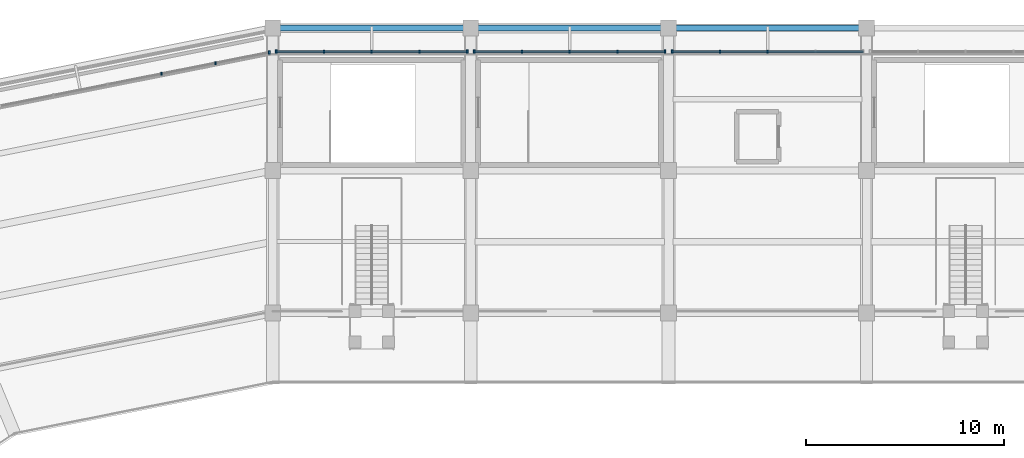
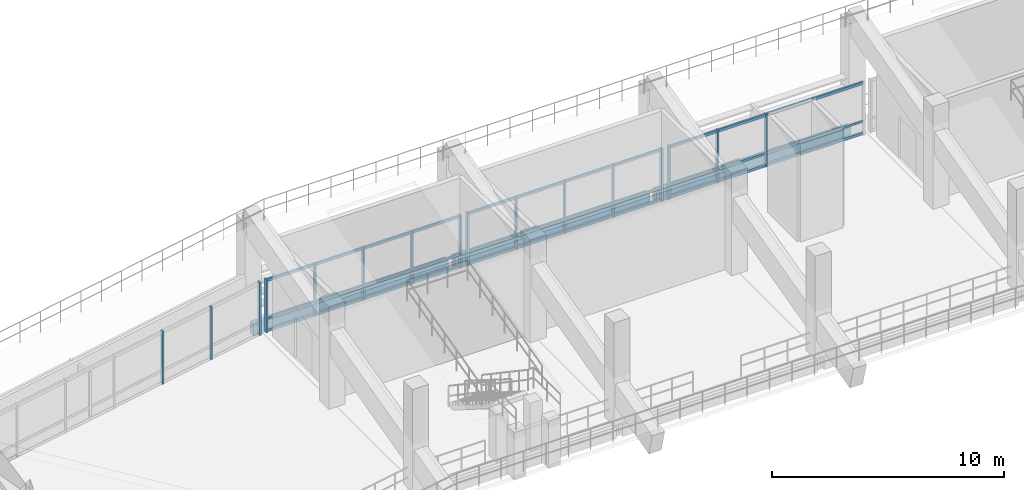
# One storey, part 43 of 96: 25 members, 3 beams, 4 elements without a shape of their own.
"""IFC4 building model written with IfcOpenShell, lengths in metres."""

import ifcopenshell
import ifcopenshell.guid

model = None  # the IFC model being written
_history = None  # IfcOwnerHistory: only IFC2X3 demands one
_inside = {}  # id of a spatial element -> (the spatial element, [elements in it])
_under = {}  # id of a project, library or spatial element -> (it, [spatial elements below it])
_declared = {}  # id of a project -> (the project, [libraries it declares])
_typed = {}  # id of a type object -> (the type object, [elements of that type])
_made_of = {}  # id of a material, layer set ... -> (it, [elements and type objects made of it])


def new_model(schema):
    """Start an empty IFC model of exactly this schema.

    Asked for "IFC4X3", IfcOpenShell would pick the latest addendum, in which some entities
    have other attributes; the version numbers below select the first issue.
    IFC2X3 requires an IfcOwnerHistory on every rooted entity: one is made here for all.
    """
    global model, _history
    if schema == "IFC4X3":
        model = ifcopenshell.file(schema_version=(4, 3, 0, 0))
    else:
        model = ifcopenshell.file(schema=schema)
    _inside.clear()
    _under.clear()
    _declared.clear()
    _typed.clear()
    _made_of.clear()
    _history = None
    if model.schema == "IFC2X3":
        org = make("IfcOrganization", Name="unknown")
        user = make(
            "IfcPersonAndOrganization",
            ThePerson=make("IfcPerson", FamilyName="unknown"),
            TheOrganization=org,
        )
        app = make(
            "IfcApplication",
            ApplicationDeveloper=org,
            Version="unknown",
            ApplicationFullName="unknown",
            ApplicationIdentifier="unknown",
        )
        _history = make(
            "IfcOwnerHistory",
            OwningUser=user,
            OwningApplication=app,
            ChangeAction="ADDED",
            CreationDate=0,
        )
    return model


def make(cls, **values):
    """One entity of the class cls with the attributes given. An attribute that is None is left unset."""
    return model.create_entity(
        cls, **{name: value for name, value in values.items() if value is not None}
    )


def rooted(cls, **values):
    """An entity with a GlobalId (a new one), such as an element, a storey or a relation."""
    return make(cls, GlobalId=ifcopenshell.guid.new(), OwnerHistory=_history, **values)


def si_unit(unit_type, name, prefix=None):
    """IfcSIUnit, for example si_unit("LENGTHUNIT", "METRE", prefix="MILLI")."""
    return make("IfcSIUnit", UnitType=unit_type, Prefix=prefix, Name=name)


def assignment(units):
    """IfcUnitAssignment: the units of a project."""
    return None if units is None else make("IfcUnitAssignment", Units=units)


def point(xyz):
    """IfcCartesianPoint."""
    return None if xyz is None else make("IfcCartesianPoint", Coordinates=xyz)


def direction(xyz):
    """IfcDirection."""
    return None if xyz is None else make("IfcDirection", DirectionRatios=xyz)


def frame(location, z_axis=None, x_axis=None):
    """IfcAxis2Placement3D, a coordinate frame: its origin and axes. An axis left out is left unset."""
    return make(
        "IfcAxis2Placement3D",
        Location=point(location),
        Axis=direction(z_axis),
        RefDirection=direction(x_axis),
    )


def frame_2d(location, x_axis=None):
    """IfcAxis2Placement2D, a coordinate frame in the plane: its origin and x axis."""
    return make(
        "IfcAxis2Placement2D", Location=point(location), RefDirection=direction(x_axis)
    )


def origin():
    """The frame at (0, 0, 0) with its axes left unset."""
    return frame((0.0, 0.0, 0.0))


def origin_2d():
    """The frame at (0, 0) in the plane with its x axis left unset."""
    return frame_2d((0.0, 0.0))


def place(relative_to, where):
    """IfcLocalPlacement: puts the frame where relative to a parent placement (None: the world)."""
    return make(
        "IfcLocalPlacement", PlacementRelTo=relative_to, RelativePlacement=where
    )


def context(
    kind, dimensions, precision=None, world=None, true_north=None, identifier=None
):
    """IfcGeometricRepresentationContext, for example the 3D "Model" context."""
    return make(
        "IfcGeometricRepresentationContext",
        ContextIdentifier=identifier,
        ContextType=kind,
        CoordinateSpaceDimension=dimensions,
        Precision=precision,
        WorldCoordinateSystem=world,
        TrueNorth=true_north,
    )


def subcontext(parent, identifier, kind, view, scale=None):
    """IfcGeometricRepresentationSubContext, for example "Body" below "Model"."""
    return make(
        "IfcGeometricRepresentationSubContext",
        ContextIdentifier=identifier,
        ContextType=kind,
        ParentContext=parent,
        TargetScale=scale,
        TargetView=view,
    )


def project(units=None, contexts=None):
    """IfcProject with its units and contexts."""
    return rooted(
        "IfcProject",
        Name="project",
        RepresentationContexts=contexts,
        UnitsInContext=assignment(units),
    )


def spatial(cls, under=None, at=None, **own):
    """A site, building, storey or space (cls), placed at a placement, below another one or the project."""
    s = rooted(cls, ObjectPlacement=at, **own)
    if under is not None:
        _under.setdefault(under.id(), (under, []))[1].append(s)
    return s


def profile(cls, at=None, kind="AREA", **sizes):
    """A parametric profile (cls). Its sizes go by their IFC names, for example OverallWidth=200.0."""
    return make(cls, ProfileType=kind, Position=at, **sizes)


def rectangle(**sizes):
    """IfcRectangleProfileDef."""
    return profile("IfcRectangleProfileDef", **sizes)


def extrude(swept, where, along, depth):
    """IfcExtrudedAreaSolid: the profile swept, set in the frame where, extruded along a direction by depth."""
    return make(
        "IfcExtrudedAreaSolid",
        SweptArea=swept,
        Position=where,
        ExtrudedDirection=direction(along),
        Depth=depth,
    )


def shape(context_of_items, identifier, shape_type, items):
    """IfcShapeRepresentation: the items that make up one representation, for example the "Body"."""
    return make(
        "IfcShapeRepresentation",
        ContextOfItems=context_of_items,
        RepresentationIdentifier=identifier,
        RepresentationType=shape_type,
        Items=items,
    )


def material(Name=None, Category=None):
    """IfcMaterial."""
    return make("IfcMaterial", Name=Name, Category=Category)


def material_profile(
    of_material, cross_section, Name=None, Category=None, Priority=None
):
    """IfcMaterialProfile: a cross section and its material."""
    return make(
        "IfcMaterialProfile",
        Name=Name,
        Material=of_material,
        Profile=cross_section,
        Priority=Priority,
        Category=Category,
    )


def profile_set(profiles, Name=None, composite=None):
    """IfcMaterialProfileSet."""
    return make(
        "IfcMaterialProfileSet",
        Name=Name,
        MaterialProfiles=profiles,
        CompositeProfile=composite,
    )


def made_of(thing, what):
    """Note that an element or type object is made of a material, layer set ...; save() writes the relation."""
    if what is not None:
        _made_of.setdefault(what.id(), (what, []))[1].append(thing)
    return thing


def type_object(cls, material=None, **own):
    """A type object (cls), such as IfcWallType, which elements share."""
    return made_of(rooted(cls, **own), material)


def element(
    cls,
    number,
    at=None,
    inside=None,
    cuts=None,
    type_object=None,
    material=None,
    context=None,
    identifier="Body",
    shape_type=None,
    held_by="IfcProductDefinitionShape",
    body=None,
    shapes=None,
    **own,
):
    """One element of the class cls, such as IfcWall. Its Tag is "e" and its number.

    at: its placement. inside: the storey or other place that contains it. cuts: it is an
    opening in that element (IfcRelVoidsElement). A single representation is given by context,
    identifier, shape_type and body (its items); several are given by shapes. held_by: the class
    of the entity that holds the representations. save() writes the other relations.
    """
    e = rooted(cls, Tag="e%d" % number, ObjectPlacement=at, **own)
    if body is not None:
        shapes = [shape(context, identifier, shape_type, body)]
    if shapes is not None:
        e.Representation = make(held_by, Representations=shapes)
    if inside is not None:
        _inside.setdefault(inside.id(), (inside, []))[1].append(e)
    if cuts is not None:
        rooted(
            "IfcRelVoidsElement", RelatingBuildingElement=cuts, RelatedOpeningElement=e
        )
    if type_object is not None:
        _typed.setdefault(type_object.id(), (type_object, []))[1].append(e)
    return made_of(e, material)


def aggregate(whole, parts):
    """IfcRelAggregates: a whole, such as a stair, and the parts it consists of."""
    return rooted("IfcRelAggregates", RelatingObject=whole, RelatedObjects=parts)


def save(model, path):
    """Write the relations noted so far, then the file.

    IfcRelAggregates (storeys below a building ...), IfcRelContainedInSpatialStructure (elements
    in a storey), IfcRelDefinesByType, IfcRelAssociatesMaterial and IfcRelDeclares: one each for
    every whole, place, type object, material and project.
    """
    for whole, parts in _under.values():
        aggregate(whole, parts)
    for where, things in _inside.values():
        rooted(
            "IfcRelContainedInSpatialStructure",
            RelatedElements=things,
            RelatingStructure=where,
        )
    for kind, things in _typed.values():
        rooted("IfcRelDefinesByType", RelatedObjects=things, RelatingType=kind)
    for what, things in _made_of.values():
        rooted("IfcRelAssociatesMaterial", RelatedObjects=things, RelatingMaterial=what)
    for by, libraries in _declared.values():
        rooted("IfcRelDeclares", RelatingContext=by, RelatedDefinitions=libraries)
    model.write(path)


model = new_model("IFC4")

# Units and contexts
model_context = context("Model", 3, precision=1e-05, world=origin(), true_north=direction((0.0, 1.0)))
body_context = subcontext(model_context, "Body", "Model", "MODEL_VIEW")
ifc_project = project(units=[si_unit("LENGTHUNIT", "METRE"), si_unit("AREAUNIT", "SQUARE_METRE"), si_unit("VOLUMEUNIT", "CUBIC_METRE"), si_unit("PLANEANGLEUNIT", "RADIAN"), si_unit("MASSUNIT", "GRAM", prefix="KILO")], contexts=[model_context])

# Site, building, storey
site_placement = place(None, origin())
site = spatial("IfcSite", under=ifc_project, at=site_placement, CompositionType="ELEMENT")
building_placement = place(site_placement, origin())
building = spatial("IfcBuilding", under=site, at=building_placement, Name="Candeia Ridge Stadium", CompositionType="ELEMENT")
storey_placement = place(building_placement, frame((0.0, 0.0, 21.60009765625)))
storey = spatial("IfcBuildingStorey", under=building, at=storey_placement, Name="L04", CompositionType="ELEMENT", Elevation=21.60009765625)

# Curtain wall, member
ifc_material_1 = material(Name="Aluminium Anodized Warm Bronze", Category="aluminium")
curtain_wall_type = type_object("IfcCurtainWallType", Name="Concourse Recessed Unitised Curtain Wall", PredefinedType="NOTDEFINED", material=ifc_material_1)
curtain_wall_1_placement = place(storey_placement, origin())
curtain_wall_1 = element("IfcCurtainWall", 1, at=curtain_wall_1_placement, inside=storey, type_object=curtain_wall_type, Name="Unitised curtain wall CW-BWL-L04-04", PredefinedType="NOTDEFINED")
ifc_material_profile_1 = material_profile(ifc_material_1, rectangle(XDim=0.090087890625, YDim=0.179931640625, at=origin_2d()), Name="CWM-90x180", Category="aluminium")
ifc_profile_set_1 = profile_set([ifc_material_profile_1], Name="Aluminium Anodized Warm Bronze")
member_type_1 = type_object("IfcMemberType", Name="Curtain Wall Primary Mullion 90x180", PredefinedType="MULLION", material=ifc_profile_set_1)
member_1_placement = place(storey_placement, frame((91.179931640625, 145.800048828125, 0.0), z_axis=(0.0, 0.0, 1.0), x_axis=(1.0, 0.0, 0.0)))
member_1 = element("IfcMember", 2, at=member_1_placement, type_object=member_type_1, Name="Curtain wall mullion CW-BWL-L04-04-M4", PredefinedType="MULLION", context=body_context, shape_type="SweptSolid", body=[
    extrude(rectangle(XDim=0.090087890625, YDim=0.179931640625, at=origin_2d()), origin(), (0.0, 0.0, 1.0), 2.772216796875),
])

# Curtain wall, members
curtain_wall_2_placement = place(storey_placement, origin())
curtain_wall_2 = element("IfcCurtainWall", 3, at=curtain_wall_2_placement, inside=storey, type_object=curtain_wall_type, Name="Unitised curtain wall CW-BWL-L04-05", PredefinedType="NOTDEFINED")
member_2_placement = place(storey_placement, frame((90.820068359375, 145.800048828125, 0.0), z_axis=(0.0, 0.0, 1.0), x_axis=(1.0, 0.0, 0.0)))
member_2 = element("IfcMember", 4, at=member_2_placement, type_object=member_type_1, Name="Curtain wall mullion CW-BWL-L04-05-M0", PredefinedType="MULLION", context=body_context, shape_type="SweptSolid", body=[
    extrude(rectangle(XDim=0.090087890625, YDim=0.179931640625, at=origin_2d()), origin(), (0.0, 0.0, 1.0), 2.772216796875),
])
member_3_placement = place(storey_placement, frame((81.179931640625, 145.800048828125, 0.0), z_axis=(0.0, 0.0, 1.0), x_axis=(1.0, 0.0, 0.0)))
member_3 = element("IfcMember", 5, at=member_3_placement, type_object=member_type_1, Name="Curtain wall mullion CW-BWL-L04-05-M4", PredefinedType="MULLION", context=body_context, shape_type="SweptSolid", body=[
    extrude(rectangle(XDim=0.090087890625, YDim=0.179931640625, at=origin_2d()), origin(), (0.0, 0.0, 1.0), 2.772216796875),
])

curtain_wall_3_placement = place(storey_placement, origin())
curtain_wall_3 = element("IfcCurtainWall", 6, at=curtain_wall_3_placement, inside=storey, type_object=curtain_wall_type, Name="Unitised curtain wall CW-BWL-L04-06", PredefinedType="NOTDEFINED")
member_4_placement = place(storey_placement, frame((80.820068359375, 145.800048828125, 0.0), z_axis=(0.0, 0.0, 1.0), x_axis=(1.0, 0.0, 0.0)))
member_4 = element("IfcMember", 7, at=member_4_placement, type_object=member_type_1, Name="Curtain wall mullion CW-BWL-L04-06-M0", PredefinedType="MULLION", context=body_context, shape_type="SweptSolid", body=[
    extrude(rectangle(XDim=0.090087890625, YDim=0.179931640625, at=origin_2d()), origin(), (0.0, 0.0, 1.0), 2.772216796875),
])
member_5_placement = place(storey_placement, frame((71.179931640625, 145.800048828125, 0.0), z_axis=(0.0, 0.0, 1.0), x_axis=(1.0, 0.0, 0.0)))
member_5 = element("IfcMember", 8, at=member_5_placement, type_object=member_type_1, Name="Curtain wall mullion CW-BWL-L04-06-M4", PredefinedType="MULLION", context=body_context, shape_type="SweptSolid", body=[
    extrude(rectangle(XDim=0.090087890625, YDim=0.179931640625, at=origin_2d()), origin(), (0.0, 0.0, 1.0), 2.772216796875),
])

# Curtain wall, member
curtain_wall_4_placement = place(storey_placement, origin())
curtain_wall_4 = element("IfcCurtainWall", 9, at=curtain_wall_4_placement, inside=storey, type_object=curtain_wall_type, Name="Unitised curtain wall CW-BWL-L04-07", PredefinedType="NOTDEFINED")
member_6_placement = place(storey_placement, frame((70.823486328125, 145.764892578125, 0.0), z_axis=(0.0, 0.0, 1.0), x_axis=(1.0, 0.0, 0.0)))
member_6 = element("IfcMember", 10, at=member_6_placement, type_object=member_type_1, Name="Curtain wall mullion CW-BWL-L04-07-M0", PredefinedType="MULLION", context=body_context, shape_type="SweptSolid", body=[
    extrude(rectangle(XDim=0.090087890625, YDim=0.179931640625, at=origin_2d()), origin(), (0.0, 0.0, 1.0), 2.772216796875),
])

# Member
ifc_material_profile_2 = material_profile(ifc_material_1, rectangle(XDim=0.074951171875, YDim=0.14990234375, at=origin_2d()), Name="CWM-75x150", Category="aluminium")
ifc_profile_set_2 = profile_set([ifc_material_profile_2], Name="Aluminium Anodized Warm Bronze")
member_type_2 = type_object("IfcMemberType", Name="Curtain Wall Secondary Mullion 75x150", PredefinedType="MULLION", material=ifc_profile_set_2)
member_7_placement = place(storey_placement, frame((96.0, 145.800048828125, 0.0), z_axis=(0.0, 0.0, 1.0), x_axis=(1.0, 0.0, 0.0)))
member_7 = element("IfcMember", 11, at=member_7_placement, type_object=member_type_2, Name="Curtain wall mullion CW-BWL-L04-04-M2", PredefinedType="MULLION", context=body_context, shape_type="SweptSolid", body=[
    extrude(rectangle(XDim=0.074951171875, YDim=0.14990234375, at=origin_2d()), origin(), (0.0, 0.0, 1.0), 2.772216796875),
])

member_8_placement = place(storey_placement, frame((93.590087890625, 145.800048828125, 0.0), z_axis=(0.0, 0.0, 1.0), x_axis=(1.0, 0.0, 0.0)))
member_8 = element("IfcMember", 12, at=member_8_placement, type_object=member_type_2, Name="Curtain wall mullion CW-BWL-L04-04-M3", PredefinedType="MULLION", context=body_context, shape_type="SweptSolid", body=[
    extrude(rectangle(XDim=0.074951171875, YDim=0.14990234375, at=origin_2d()), origin(), (0.0, 0.0, 1.0), 2.772216796875),
])

member_9_placement = place(storey_placement, frame((88.409912109375, 145.800048828125, 0.0), z_axis=(0.0, 0.0, 1.0), x_axis=(1.0, 0.0, 0.0)))
member_9 = element("IfcMember", 13, at=member_9_placement, type_object=member_type_2, Name="Curtain wall mullion CW-BWL-L04-05-M1", PredefinedType="MULLION", context=body_context, shape_type="SweptSolid", body=[
    extrude(rectangle(XDim=0.074951171875, YDim=0.14990234375, at=origin_2d()), origin(), (0.0, 0.0, 1.0), 2.772216796875),
])

member_10_placement = place(storey_placement, frame((86.0, 145.800048828125, 0.0), z_axis=(0.0, 0.0, 1.0), x_axis=(1.0, 0.0, 0.0)))
member_10 = element("IfcMember", 14, at=member_10_placement, type_object=member_type_2, Name="Curtain wall mullion CW-BWL-L04-05-M2", PredefinedType="MULLION", context=body_context, shape_type="SweptSolid", body=[
    extrude(rectangle(XDim=0.074951171875, YDim=0.14990234375, at=origin_2d()), origin(), (0.0, 0.0, 1.0), 2.772216796875),
])

member_11_placement = place(storey_placement, frame((83.590087890625, 145.800048828125, 0.0), z_axis=(0.0, 0.0, 1.0), x_axis=(1.0, 0.0, 0.0)))
member_11 = element("IfcMember", 15, at=member_11_placement, type_object=member_type_2, Name="Curtain wall mullion CW-BWL-L04-05-M3", PredefinedType="MULLION", context=body_context, shape_type="SweptSolid", body=[
    extrude(rectangle(XDim=0.074951171875, YDim=0.14990234375, at=origin_2d()), origin(), (0.0, 0.0, 1.0), 2.772216796875),
])

member_12_placement = place(storey_placement, frame((78.409912109375, 145.800048828125, 0.0), z_axis=(0.0, 0.0, 1.0), x_axis=(1.0, 0.0, 0.0)))
member_12 = element("IfcMember", 16, at=member_12_placement, type_object=member_type_2, Name="Curtain wall mullion CW-BWL-L04-06-M1", PredefinedType="MULLION", context=body_context, shape_type="SweptSolid", body=[
    extrude(rectangle(XDim=0.074951171875, YDim=0.14990234375, at=origin_2d()), origin(), (0.0, 0.0, 1.0), 2.772216796875),
])

member_13_placement = place(storey_placement, frame((76.0, 145.800048828125, 0.0), z_axis=(0.0, 0.0, 1.0), x_axis=(1.0, 0.0, 0.0)))
member_13 = element("IfcMember", 17, at=member_13_placement, type_object=member_type_2, Name="Curtain wall mullion CW-BWL-L04-06-M2", PredefinedType="MULLION", context=body_context, shape_type="SweptSolid", body=[
    extrude(rectangle(XDim=0.074951171875, YDim=0.14990234375, at=origin_2d()), origin(), (0.0, 0.0, 1.0), 2.772216796875),
])

member_14_placement = place(storey_placement, frame((73.590087890625, 145.800048828125, 0.0), z_axis=(0.0, 0.0, 1.0), x_axis=(1.0, 0.0, 0.0)))
member_14 = element("IfcMember", 18, at=member_14_placement, type_object=member_type_2, Name="Curtain wall mullion CW-BWL-L04-06-M3", PredefinedType="MULLION", context=body_context, shape_type="SweptSolid", body=[
    extrude(rectangle(XDim=0.074951171875, YDim=0.14990234375, at=origin_2d()), origin(), (0.0, 0.0, 1.0), 2.772216796875),
])

member_15_placement = place(storey_placement, frame((68.0966796875, 145.222412109375, 0.0), z_axis=(0.0, 0.0, 1.0), x_axis=(1.0, 0.0, 0.0)))
member_15 = element("IfcMember", 19, at=member_15_placement, type_object=member_type_2, Name="Curtain wall mullion CW-BWL-L04-07-M1", PredefinedType="MULLION", context=body_context, shape_type="SweptSolid", body=[
    extrude(rectangle(XDim=0.074951171875, YDim=0.14990234375, at=origin_2d()), origin(), (0.0, 0.0, 1.0), 2.772216796875),
])

member_16_placement = place(storey_placement, frame((65.3701171875, 144.68017578125, 0.0), z_axis=(0.0, 0.0, 1.0), x_axis=(1.0, 0.0, 0.0)))
member_16 = element("IfcMember", 20, at=member_16_placement, type_object=member_type_2, Name="Curtain wall mullion CW-BWL-L04-07-M2", PredefinedType="MULLION", context=body_context, shape_type="SweptSolid", body=[
    extrude(rectangle(XDim=0.074951171875, YDim=0.14990234375, at=origin_2d()), origin(), (0.0, 0.0, 1.0), 2.772216796875),
])

aggregate(curtain_wall_4, [member_6, member_15, member_16])

ifc_material_profile_3 = material_profile(ifc_material_1, rectangle(XDim=0.074951171875, YDim=0.110107421875, at=origin_2d()), Name="CWT-75x110", Category="aluminium")
ifc_profile_set_3 = profile_set([ifc_material_profile_3], Name="Aluminium Anodized Warm Bronze")
member_type_3 = type_object("IfcMemberType", Name="Curtain Wall Secondary Transom 75x110", PredefinedType="USERDEFINED", material=ifc_profile_set_3)
member_17_placement = place(storey_placement, frame((100.820068359375, 145.800048828125, 0.693115234375), z_axis=(-1.0, 0.0, 0.0), x_axis=(0.0, -1.0, 0.0)))
member_17 = element("IfcMember", 21, at=member_17_placement, type_object=member_type_3, Name="Curtain wall transom CW-BWL-L04-04-T1", ObjectType="TRANSOM", PredefinedType="USERDEFINED", context=body_context, shape_type="SweptSolid", body=[
    extrude(rectangle(XDim=0.074951171875, YDim=0.110107421875, at=origin_2d()), origin(), (0.0, 0.0, 1.0), 9.64013671875),
])

member_18_placement = place(storey_placement, frame((90.820068359375, 145.800048828125, 0.693115234375), z_axis=(-1.0, 0.0, 0.0), x_axis=(0.0, -1.0, 0.0)))
member_18 = element("IfcMember", 22, at=member_18_placement, type_object=member_type_3, Name="Curtain wall transom CW-BWL-L04-05-T1", ObjectType="TRANSOM", PredefinedType="USERDEFINED", context=body_context, shape_type="SweptSolid", body=[
    extrude(rectangle(XDim=0.074951171875, YDim=0.110107421875, at=origin_2d()), origin(), (0.0, 0.0, 1.0), 9.64013671875),
])

member_19_placement = place(storey_placement, frame((80.820068359375, 145.800048828125, 0.693115234375), z_axis=(-1.0, 0.0, 0.0), x_axis=(0.0, -1.0, 0.0)))
member_19 = element("IfcMember", 23, at=member_19_placement, type_object=member_type_3, Name="Curtain wall transom CW-BWL-L04-06-T1", ObjectType="TRANSOM", PredefinedType="USERDEFINED", context=body_context, shape_type="SweptSolid", body=[
    extrude(rectangle(XDim=0.074951171875, YDim=0.110107421875, at=origin_2d()), origin(), (0.0, 0.0, 1.0), 9.64013671875),
])

ifc_material_profile_4 = material_profile(ifc_material_1, rectangle(XDim=0.090087890625, YDim=0.139892578125, at=origin_2d()), Name="CWT-90x140", Category="aluminium")
ifc_profile_set_4 = profile_set([ifc_material_profile_4], Name="Aluminium Anodized Warm Bronze")
member_type_4 = type_object("IfcMemberType", Name="Curtain Wall Transom 90x140", PredefinedType="USERDEFINED", material=ifc_profile_set_4)
member_20_placement = place(storey_placement, frame((100.820068359375, 145.800048828125, 0.06982421875), z_axis=(-1.0, 0.0, 0.0), x_axis=(0.0, -1.0, 0.0)))
member_20 = element("IfcMember", 24, at=member_20_placement, type_object=member_type_4, Name="Curtain wall transom CW-BWL-L04-04-T0", ObjectType="TRANSOM", PredefinedType="USERDEFINED", context=body_context, shape_type="SweptSolid", body=[
    extrude(rectangle(XDim=0.090087890625, YDim=0.139892578125, at=origin_2d()), origin(), (0.0, 0.0, 1.0), 9.64013671875),
])

member_21_placement = place(storey_placement, frame((100.820068359375, 145.800048828125, 2.7021484375), z_axis=(-1.0, 0.0, 0.0), x_axis=(0.0, -1.0, 0.0)))
member_21 = element("IfcMember", 25, at=member_21_placement, type_object=member_type_4, Name="Curtain wall transom CW-BWL-L04-04-T2", ObjectType="TRANSOM", PredefinedType="USERDEFINED", context=body_context, shape_type="SweptSolid", body=[
    extrude(rectangle(XDim=0.090087890625, YDim=0.139892578125, at=origin_2d()), origin(), (0.0, 0.0, 1.0), 9.64013671875),
])

aggregate(curtain_wall_1, [member_7, member_8, member_1, member_20, member_17, member_21])

member_22_placement = place(storey_placement, frame((90.820068359375, 145.800048828125, 0.06982421875), z_axis=(-1.0, 0.0, 0.0), x_axis=(0.0, -1.0, 0.0)))
member_22 = element("IfcMember", 26, at=member_22_placement, type_object=member_type_4, Name="Curtain wall transom CW-BWL-L04-05-T0", ObjectType="TRANSOM", PredefinedType="USERDEFINED", context=body_context, shape_type="SweptSolid", body=[
    extrude(rectangle(XDim=0.090087890625, YDim=0.139892578125, at=origin_2d()), origin(), (0.0, 0.0, 1.0), 9.64013671875),
])

member_23_placement = place(storey_placement, frame((90.820068359375, 145.800048828125, 2.7021484375), z_axis=(-1.0, 0.0, 0.0), x_axis=(0.0, -1.0, 0.0)))
member_23 = element("IfcMember", 27, at=member_23_placement, type_object=member_type_4, Name="Curtain wall transom CW-BWL-L04-05-T2", ObjectType="TRANSOM", PredefinedType="USERDEFINED", context=body_context, shape_type="SweptSolid", body=[
    extrude(rectangle(XDim=0.090087890625, YDim=0.139892578125, at=origin_2d()), origin(), (0.0, 0.0, 1.0), 9.64013671875),
])

aggregate(curtain_wall_2, [member_2, member_9, member_10, member_11, member_3, member_22, member_18, member_23])

member_24_placement = place(storey_placement, frame((80.820068359375, 145.800048828125, 0.06982421875), z_axis=(-1.0, 0.0, 0.0), x_axis=(0.0, -1.0, 0.0)))
member_24 = element("IfcMember", 28, at=member_24_placement, type_object=member_type_4, Name="Curtain wall transom CW-BWL-L04-06-T0", ObjectType="TRANSOM", PredefinedType="USERDEFINED", context=body_context, shape_type="SweptSolid", body=[
    extrude(rectangle(XDim=0.090087890625, YDim=0.139892578125, at=origin_2d()), origin(), (0.0, 0.0, 1.0), 9.64013671875),
])

member_25_placement = place(storey_placement, frame((80.820068359375, 145.800048828125, 2.7021484375), z_axis=(-1.0, 0.0, 0.0), x_axis=(0.0, -1.0, 0.0)))
member_25 = element("IfcMember", 29, at=member_25_placement, type_object=member_type_4, Name="Curtain wall transom CW-BWL-L04-06-T2", ObjectType="TRANSOM", PredefinedType="USERDEFINED", context=body_context, shape_type="SweptSolid", body=[
    extrude(rectangle(XDim=0.090087890625, YDim=0.139892578125, at=origin_2d()), origin(), (0.0, 0.0, 1.0), 9.64013671875),
])

aggregate(curtain_wall_3, [member_4, member_12, member_13, member_14, member_5, member_24, member_19, member_25])

# Beams
ifc_material_2 = material(Name="Concrete C40/50", Category="concrete")
ifc_material_profile_5 = material_profile(ifc_material_2, rectangle(XDim=0.320068359375, YDim=0.6201171875, at=origin_2d()), Name="RC320x620", Category="concrete")
ifc_profile_set_5 = profile_set([ifc_material_profile_5], Name="Concrete C40/50")
beam_type = type_object("IfcBeamType", Name="Spandrel Beam RC320x620", PredefinedType="SPANDREL", material=ifc_profile_set_5)
for number, where, z_axis, x_axis, name in (
    (30, (100.840087890625, 147.0, -0.570068359375), (-1.0, 0.0, 0.0), (0.0, -1.0, 0.0), "Bowl perimeter spandrel BM-L04-0812"),
    (31, (90.840087890625, 147.0, -0.570068359375), (-1.0, 0.0, 0.0), (0.0, -1.0, 0.0), "Bowl perimeter spandrel BM-L04-0817"),
    (32, (80.840087890625, 147.0, -0.570068359375), (-1.0, 0.0, 0.0), (0.0, -1.0, 0.0), "Bowl perimeter spandrel BM-L04-0821"),
):
    element("IfcBeam", number, at=place(storey_placement, frame(where, z_axis=z_axis, x_axis=x_axis)), inside=storey, type_object=beam_type, Name=name, PredefinedType="SPANDREL", context=body_context, shape_type="SweptSolid", body=[
        extrude(rectangle(XDim=0.320068359375, YDim=0.6201171875, at=origin_2d()), origin(), (0.0, 0.0, 1.0), 9.68017578125),
    ])

save(model, "model.ifc")
